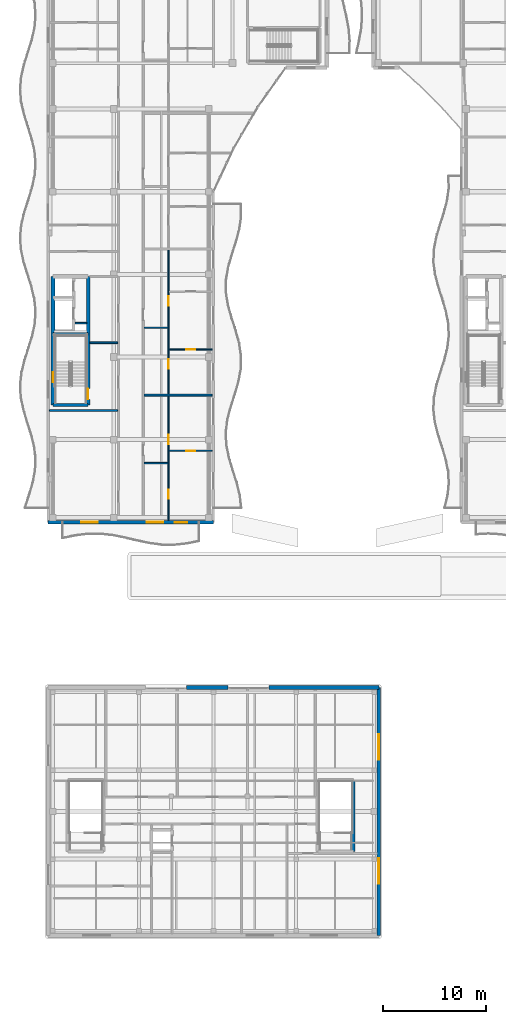
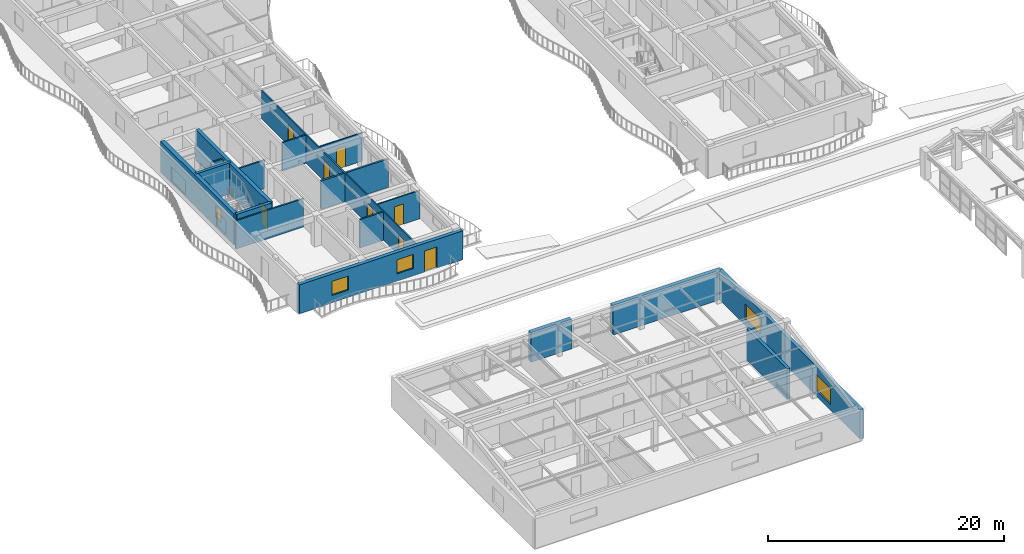
# One storey, part 81 of 128: 19 walls, 8 doors, 5 windows, 13 openings.
"""IFC4 building model written with IfcOpenShell, lengths in metres."""

from ifc_helpers import new_model, si_unit, direction, frame, frame_2d, origin, place, context, subcontext, project, spatial, rectangle, extrude, material, layer, layer_set, type_object, element, fill, save


model = new_model("IFC4")

# Units and contexts
model_context = context("Model", 3, precision=1e-05, world=origin(), true_north=direction((0.0, 1.0)))
body_context = subcontext(model_context, "Body", "Model", "MODEL_VIEW")
ifc_project = project(units=[si_unit("LENGTHUNIT", "METRE"), si_unit("AREAUNIT", "SQUARE_METRE"), si_unit("VOLUMEUNIT", "CUBIC_METRE"), si_unit("PLANEANGLEUNIT", "RADIAN"), si_unit("MASSUNIT", "GRAM", prefix="KILO")], contexts=[model_context])

# Site, building, storey
site_placement = place(None, origin())
site = spatial("IfcSite", under=ifc_project, at=site_placement, CompositionType="ELEMENT")
building_placement = place(site_placement, origin())
building = spatial("IfcBuilding", under=site, at=building_placement, Name="Keldmere Railside Commons", CompositionType="ELEMENT")
storey_placement = place(building_placement, frame((0.0, 0.0, 4.159912109375)))
storey = spatial("IfcBuildingStorey", under=building, at=storey_placement, Name="L01", CompositionType="ELEMENT", Elevation=4.159912109375)

# Wall
ifc_material_1 = material(Name="Acoustic Gypsum Board Partition", Category="gypsum")
ifc_layer_1 = layer(ifc_material_1, 0.179931640625, Name="Acoustic Demising Partition 180")
ifc_layer_set_1 = layer_set([ifc_layer_1], Name="Acoustic Gypsum Board Partition")
wall_type_1 = type_object("IfcWallType", Name="Acoustic Demising Partition 180", PredefinedType="PARTITIONING", material=ifc_layer_set_1)
wall_1_placement = place(storey_placement, frame((17.280029296875, 68.31005859375, 0.0), z_axis=(0.0, 0.0, 1.0), x_axis=(1.0, 0.0, 0.0)))
element("IfcWall", 1, at=wall_1_placement, inside=storey, type_object=wall_type_1, Name="IW-1 IW-L01-0210", PredefinedType="PARTITIONING", context=body_context, shape_type="SweptSolid", body=[
    extrude(rectangle(XDim=6.599853515625, YDim=0.179931640625, at=frame_2d((3.2998046875, 0.0))), origin(), (0.0, 0.0, 1.0), 2.93505859375),
])

# Wall, openings, doors
ifc_layer_2 = layer(ifc_material_1, 0.1201171875, Name="Apartment Interior Partition 120")
ifc_layer_set_2 = layer_set([ifc_layer_2], Name="Acoustic Gypsum Board Partition")
wall_type_2 = type_object("IfcWallType", Name="Apartment Interior Partition 120", PredefinedType="PARTITIONING", material=ifc_layer_set_2)
wall_2_placement = place(storey_placement, frame((19.659912109375, 56.179931640625, 0.0), z_axis=(0.0, 0.0, 1.0), x_axis=(0.0, 1.0, 0.0)))
wall_2 = element("IfcWall", 2, at=wall_2_placement, inside=storey, type_object=wall_type_2, Name="IW-4 IW-L01-0213", PredefinedType="PARTITIONING", context=body_context, shape_type="SweptSolid", body=[
    extrude(rectangle(XDim=12.0400390625, YDim=0.1201171875, at=frame_2d((6.02001953125, 0.0))), origin(), (0.0, 0.0, 1.0), 2.93505859375),
])
opening_1_placement = place(wall_2_placement, frame((2.105224609375, 0.0, 0.0)))
opening_1 = element("IfcOpeningElement", 3, at=opening_1_placement, cuts=wall_2, Name="Opening ID-04", PredefinedType="OPENING", context=body_context, shape_type="SweptSolid", body=[
    extrude(rectangle(XDim=0.860107421875, YDim=2.10009765625, at=frame_2d((0.43017578125, 1.050048828125))), frame((0.0, 0.070068359375, 0.0), z_axis=(0.0, -1.0, 0.0), x_axis=(1.0, 0.0, 0.0)), (0.0, 0.0, 1.0), 0.14013671875),
])
opening_2_placement = place(wall_2_placement, frame((7.360107421875, 0.0, 0.0)))
opening_2 = element("IfcOpeningElement", 4, at=opening_2_placement, cuts=wall_2, Name="Opening ID-03", PredefinedType="OPENING", context=body_context, shape_type="SweptSolid", body=[
    extrude(rectangle(XDim=0.919921875, YDim=2.10009765625, at=frame_2d((0.4599609375, 1.050048828125))), frame((0.0, 0.070068359375, 0.0), z_axis=(0.0, -1.0, 0.0), x_axis=(1.0, 0.0, 0.0)), (0.0, 0.0, 1.0), 0.14013671875),
])
ifc_material_2 = material(Name="Engineered Oak Timber", Category="wood")
door_type_1 = type_object("IfcDoorType", Name="Apartment Bathroom Door 860x2100", OperationType="NOTDEFINED", PredefinedType="DOOR", material=ifc_material_2)
door_1_placement = place(opening_1_placement, origin())
door_1 = element("IfcDoor", 5, at=door_1_placement, inside=storey, type_object=door_type_1, Name="ID-04 IDR-L01-0117", OperationType="SINGLE_SWING_LEFT", OverallHeight=2.10009765625, OverallWidth=0.860107421875, PredefinedType="DOOR", context=body_context, shape_type="SweptSolid", body=[
    extrude(rectangle(XDim=0.860107421875, YDim=2.10009765625, at=frame_2d((0.43017578125, 1.050048828125))), frame((0.0, 0.02490234375, 0.0), z_axis=(0.0, -1.0, 0.0), x_axis=(1.0, 0.0, 0.0)), (0.0, 0.0, 1.0), 0.050048828125),
])
fill(opening_1, door_1)
door_type_2 = type_object("IfcDoorType", Name="Kitchen Pocket-Frame Swing Door 920x2100", OperationType="NOTDEFINED", PredefinedType="DOOR", material=ifc_material_2)
door_2_placement = place(opening_2_placement, origin())
door_2 = element("IfcDoor", 6, at=door_2_placement, inside=storey, type_object=door_type_2, Name="ID-03 IDR-L01-0118", OperationType="SINGLE_SWING_RIGHT", OverallHeight=2.10009765625, OverallWidth=0.919921875, PredefinedType="DOOR", context=body_context, shape_type="SweptSolid", body=[
    extrude(rectangle(XDim=0.919921875, YDim=2.10009765625, at=frame_2d((0.4599609375, 1.050048828125))), frame((0.0, 0.02490234375, 0.0), z_axis=(0.0, -1.0, 0.0), x_axis=(1.0, 0.0, 0.0)), (0.0, 0.0, 1.0), 0.050048828125),
])
fill(opening_2, door_2)

# Wall, opening, door
wall_3_placement = place(storey_placement, frame((19.719970703125, 62.919921875, 0.0), z_axis=(0.0, 0.0, 1.0), x_axis=(1.0, 0.0, 0.0)))
wall_3 = element("IfcWall", 7, at=wall_3_placement, inside=storey, type_object=wall_type_2, Name="IW-4 IW-L01-0215", PredefinedType="PARTITIONING", context=body_context, shape_type="SweptSolid", body=[
    extrude(rectangle(XDim=4.159912109375, YDim=0.1201171875, at=frame_2d((2.080078125, 0.0))), origin(), (0.0, 0.0, 1.0), 2.93505859375),
])
opening_3_placement = place(wall_3_placement, frame((1.6298828125, 0.0, 0.0)))
opening_3 = element("IfcOpeningElement", 8, at=opening_3_placement, cuts=wall_3, Name="Opening ID-01", PredefinedType="OPENING", context=body_context, shape_type="SweptSolid", body=[
    extrude(rectangle(XDim=0.89990234375, YDim=2.10009765625, at=frame_2d((0.449951171875, 1.050048828125))), frame((0.0, 0.070068359375, 0.0), z_axis=(0.0, -1.0, 0.0), x_axis=(1.0, 0.0, 0.0)), (0.0, 0.0, 1.0), 0.14013671875),
])
door_type_3 = type_object("IfcDoorType", Name="Primary Bedroom Door 900x2100", OperationType="NOTDEFINED", PredefinedType="DOOR", material=ifc_material_2)
door_3_placement = place(opening_3_placement, origin())
door_3 = element("IfcDoor", 9, at=door_3_placement, inside=storey, type_object=door_type_3, Name="ID-01 IDR-L01-0120", OperationType="SINGLE_SWING_RIGHT", OverallHeight=2.10009765625, OverallWidth=0.89990234375, PredefinedType="DOOR", context=body_context, shape_type="SweptSolid", body=[
    extrude(rectangle(XDim=0.89990234375, YDim=2.10009765625, at=frame_2d((0.449951171875, 1.050048828125))), frame((0.0, 0.02490234375, 0.0), z_axis=(0.0, -1.0, 0.0), x_axis=(1.0, 0.0, 0.0)), (0.0, 0.0, 1.0), 0.050048828125),
])
fill(opening_3, door_3)

# Wall, openings, doors
wall_4_placement = place(storey_placement, frame((19.659912109375, 68.39990234375, 0.0), z_axis=(0.0, 0.0, 1.0), x_axis=(0.0, 1.0, 0.0)))
wall_4 = element("IfcWall", 10, at=wall_4_placement, inside=storey, type_object=wall_type_2, Name="IW-4 IW-L01-0216", PredefinedType="PARTITIONING", context=body_context, shape_type="SweptSolid", body=[
    extrude(rectangle(XDim=13.97021484375, YDim=0.1201171875, at=frame_2d((6.985107421875, 0.0))), origin(), (0.0, 0.0, 1.0), 2.93505859375),
])
opening_4_placement = place(wall_4_placement, frame((2.443359375, 0.0, 0.0)))
opening_4 = element("IfcOpeningElement", 11, at=opening_4_placement, cuts=wall_4, Name="Opening ID-05", PredefinedType="OPENING", context=body_context, shape_type="SweptSolid", body=[
    extrude(rectangle(XDim=0.93994140625, YDim=2.10009765625, at=frame_2d((0.469970703125, 1.050048828125))), frame((0.0, 0.070068359375, 0.0), z_axis=(0.0, -1.0, 0.0), x_axis=(1.0, 0.0, 0.0)), (0.0, 0.0, 1.0), 0.14013671875),
])
opening_5_placement = place(wall_4_placement, frame((8.541259765625, 0.0, 0.0)))
opening_5 = element("IfcOpeningElement", 12, at=opening_5_placement, cuts=wall_4, Name="Opening ID-03", PredefinedType="OPENING", context=body_context, shape_type="SweptSolid", body=[
    extrude(rectangle(XDim=0.919921875, YDim=2.10009765625, at=frame_2d((0.4599609375, 1.050048828125))), frame((0.0, 0.070068359375, 0.0), z_axis=(0.0, -1.0, 0.0), x_axis=(1.0, 0.0, 0.0)), (0.0, 0.0, 1.0), 0.14013671875),
])
door_type_4 = type_object("IfcDoorType", Name="Accessible Bathroom Door 940x2100", OperationType="NOTDEFINED", PredefinedType="DOOR", material=ifc_material_2)
door_4_placement = place(opening_4_placement, origin())
door_4 = element("IfcDoor", 13, at=door_4_placement, inside=storey, type_object=door_type_4, Name="ID-05 IDR-L01-0121", OperationType="SINGLE_SWING_LEFT", OverallHeight=2.10009765625, OverallWidth=0.93994140625, PredefinedType="DOOR", context=body_context, shape_type="SweptSolid", body=[
    extrude(rectangle(XDim=0.93994140625, YDim=2.10009765625, at=frame_2d((0.469970703125, 1.050048828125))), frame((0.0, 0.02490234375, 0.0), z_axis=(0.0, -1.0, 0.0), x_axis=(1.0, 0.0, 0.0)), (0.0, 0.0, 1.0), 0.050048828125),
])
fill(opening_4, door_4)
door_5_placement = place(opening_5_placement, origin())
door_5 = element("IfcDoor", 14, at=door_5_placement, inside=storey, type_object=door_type_2, Name="ID-03 IDR-L01-0122", OperationType="SINGLE_SWING_RIGHT", OverallHeight=2.10009765625, OverallWidth=0.919921875, PredefinedType="DOOR", context=body_context, shape_type="SweptSolid", body=[
    extrude(rectangle(XDim=0.919921875, YDim=2.10009765625, at=frame_2d((0.4599609375, 1.050048828125))), frame((0.0, 0.02490234375, 0.0), z_axis=(0.0, -1.0, 0.0), x_axis=(1.0, 0.0, 0.0)), (0.0, 0.0, 1.0), 0.050048828125),
])
fill(opening_5, door_5)

# Wall, opening, door
wall_5_placement = place(storey_placement, frame((19.719970703125, 72.72998046875, 0.0), z_axis=(0.0, 0.0, 1.0), x_axis=(1.0, 0.0, 0.0)))
wall_5 = element("IfcWall", 15, at=wall_5_placement, inside=storey, type_object=wall_type_2, Name="IW-4 IW-L01-0218", PredefinedType="PARTITIONING", context=body_context, shape_type="SweptSolid", body=[
    extrude(rectangle(XDim=4.159912109375, YDim=0.1201171875, at=frame_2d((2.080078125, 0.0))), origin(), (0.0, 0.0, 1.0), 2.93505859375),
])
opening_6_placement = place(wall_5_placement, frame((1.6298828125, 0.0, 0.0)))
opening_6 = element("IfcOpeningElement", 16, at=opening_6_placement, cuts=wall_5, Name="Opening ID-01", PredefinedType="OPENING", context=body_context, shape_type="SweptSolid", body=[
    extrude(rectangle(XDim=0.89990234375, YDim=2.10009765625, at=frame_2d((0.449951171875, 1.050048828125))), frame((0.0, 0.070068359375, 0.0), z_axis=(0.0, -1.0, 0.0), x_axis=(1.0, 0.0, 0.0)), (0.0, 0.0, 1.0), 0.14013671875),
])
door_6_placement = place(opening_6_placement, origin())
door_6 = element("IfcDoor", 17, at=door_6_placement, inside=storey, type_object=door_type_3, Name="ID-01 IDR-L01-0124", OperationType="SINGLE_SWING_RIGHT", OverallHeight=2.10009765625, OverallWidth=0.89990234375, PredefinedType="DOOR", context=body_context, shape_type="SweptSolid", body=[
    extrude(rectangle(XDim=0.89990234375, YDim=2.10009765625, at=frame_2d((0.449951171875, 1.050048828125))), frame((0.0, 0.02490234375, 0.0), z_axis=(0.0, -1.0, 0.0), x_axis=(1.0, 0.0, 0.0)), (0.0, 0.0, 1.0), 0.050048828125),
])
fill(opening_6, door_6)

# Walls
ifc_material_3 = material(Name="Terracotta Brick Masonry", Category="masonry")
ifc_layer_3 = layer(ifc_material_3, 0.39990234375, Name="Civic Brick Cavity Wall 400")
ifc_layer_set_3 = layer_set([ifc_layer_3], Name="Terracotta Brick Masonry")
wall_type_3 = type_object("IfcWallType", Name="Civic Brick Cavity Wall 400", PredefinedType="SOLIDWALL", material=ifc_layer_set_3)
wall_6_placement = place(storey_placement, frame((21.39990234375, 40.0, 0.0), z_axis=(0.0, 0.0, 1.0), x_axis=(1.0, 0.0, 0.0)))
element("IfcWall", 18, at=wall_6_placement, inside=storey, type_object=wall_type_3, Name="EW-3 NURNM-L01-0990", PredefinedType="SOLIDWALL", context=body_context, shape_type="SweptSolid", body=[
    extrude(rectangle(XDim=4.0, YDim=0.39990234375, at=frame_2d((2.0, 0.0))), origin(), (0.0, 0.0, 1.0), 3.06005859375),
])
wall_7_placement = place(storey_placement, frame((29.39990234375, 40.0, 0.0), z_axis=(0.0, 0.0, 1.0), x_axis=(1.0, 0.0, 0.0)))
element("IfcWall", 19, at=wall_7_placement, inside=storey, type_object=wall_type_3, Name="EW-3 NURNE-L01-0991", PredefinedType="SOLIDWALL", context=body_context, shape_type="SweptSolid", body=[
    extrude(rectangle(XDim=10.60009765625, YDim=0.39990234375, at=frame_2d((5.300048828125, 0.0))), origin(), (0.0, 0.0, 1.0), 3.06005859375),
])
ifc_material_4 = material(Name="Concrete H-35 (C35/45)", Category="concrete")
ifc_layer_4 = layer(ifc_material_4, 0.280029296875, Name="Core Shear Wall 280")
ifc_layer_set_4 = layer_set([ifc_layer_4], Name="Concrete H-35 (C35/45)")
wall_type_4 = type_object("IfcWallType", Name="Core Shear Wall 280", PredefinedType="SHEAR", material=ifc_layer_set_4)
wall_8_placement = place(storey_placement, frame((8.4599609375, 74.239990234375, 0.0), z_axis=(0.0, 0.0, 1.0), x_axis=(1.0, 0.0, 0.0)))
element("IfcWall", 20, at=wall_8_placement, inside=storey, type_object=wall_type_4, Name="CSW-2 COREDM-L01-0043", PredefinedType="SHEAR", context=body_context, shape_type="SweptSolid", body=[
    extrude(rectangle(XDim=3.41015625, YDim=0.280029296875, at=frame_2d((1.705078125, 0.0))), origin(), (0.0, 0.0, 1.0), 3.2001953125),
])

# Wall, opening, window
ifc_material_5 = material(Name="Concrete H-40 (C40/50)", Category="concrete")
ifc_layer_5 = layer(ifc_material_5, 0.3798828125, Name="Core Shear Wall 380")
ifc_layer_set_5 = layer_set([ifc_layer_5], Name="Concrete H-40 (C40/50)")
wall_type_5 = type_object("IfcWallType", Name="Core Shear Wall 380", PredefinedType="SHEAR", material=ifc_layer_set_5)
wall_9_placement = place(storey_placement, frame((8.4599609375, 67.35009765625, 0.0), z_axis=(0.0, 0.0, 1.0), x_axis=(0.0, 1.0, 0.0)))
wall_9 = element("IfcWall", 21, at=wall_9_placement, inside=storey, type_object=wall_type_5, Name="CW-CORE COREDW-L01-0039", PredefinedType="SHEAR", context=body_context, shape_type="SweptSolid", body=[
    extrude(rectangle(XDim=12.449951171875, YDim=0.3798828125, at=frame_2d((6.22509765625, 0.0))), origin(), (0.0, 0.0, 1.0), 3.2001953125),
])
opening_7_placement = place(wall_9_placement, frame((2.199951171875, 0.0, 0.969970703125)))
opening_7 = element("IfcOpeningElement", 22, at=opening_7_placement, cuts=wall_9, Name="Opening WN-17", PredefinedType="OPENING", context=body_context, shape_type="SweptSolid", body=[
    extrude(rectangle(XDim=0.949951171875, YDim=1.25, at=frame_2d((0.47509765625, 0.625))), frame((0.0, 0.199951171875, 0.0), z_axis=(0.0, -1.0, 0.0), x_axis=(1.0, 0.0, 0.0)), (0.0, 0.0, 1.0), 0.39990234375),
])
ifc_material_6 = material(Name="Low-E Insulated Double Glazing", Category="glass")
window_type_1 = type_object("IfcWindowType", Name="Stair Core Natural Smoke-Vent Window 950x1250", PartitioningType="SINGLE_PANEL", PredefinedType="WINDOW", material=ifc_material_6)
window_1_placement = place(opening_7_placement, origin())
window_1 = element("IfcWindow", 23, at=window_1_placement, inside=storey, type_object=window_type_1, Name="WN-17 WIN-L01-0008", OverallHeight=1.25, OverallWidth=0.949951171875, PartitioningType="SINGLE_PANEL", PredefinedType="WINDOW", context=body_context, shape_type="SweptSolid", body=[
    extrude(rectangle(XDim=0.949951171875, YDim=1.25, at=frame_2d((0.47509765625, 0.625))), frame((0.0, 0.030029296875, 0.0), z_axis=(0.0, -1.0, 0.0), x_axis=(1.0, 0.0, 0.0)), (0.0, 0.0, 1.0), 0.06005859375),
])
fill(opening_7, window_1)

# Wall, openings, windows
ifc_layer_6 = layer(ifc_material_4, 0.320068359375, Name="Exterior Shear Wall 320")
ifc_layer_set_6 = layer_set([ifc_layer_6], Name="Concrete H-35 (C35/45)")
wall_type_6 = type_object("IfcWallType", Name="Exterior Shear Wall 320", PredefinedType="SHEAR", material=ifc_layer_set_6)
wall_10_placement = place(storey_placement, frame((40.0, 40.0, 0.0), z_axis=(0.0, 0.0, 1.0), x_axis=(0.0, -1.0, 0.0)))
wall_10 = element("IfcWall", 24, at=wall_10_placement, inside=storey, type_object=wall_type_6, Name="ESW-2 NURE-L01-0992", PredefinedType="SHEAR", context=body_context, shape_type="SweptSolid", body=[
    extrude(rectangle(XDim=24.0, YDim=0.320068359375, at=frame_2d((12.0, 0.0))), origin(), (0.0, 0.0, 1.0), 3.06005859375),
])
opening_8_placement = place(wall_10_placement, frame((4.5, 0.0, 0.570068359375)))
opening_8 = element("IfcOpeningElement", 25, at=opening_8_placement, cuts=wall_10, Name="Opening WN-27", PredefinedType="OPENING", context=body_context, shape_type="SweptSolid", body=[
    extrude(rectangle(XDim=2.5, YDim=1.64990234375, at=frame_2d((1.25, 0.824951171875))), frame((0.0, 0.169921875, 0.0), z_axis=(0.0, -1.0, 0.0), x_axis=(1.0, 0.0, 0.0)), (0.0, 0.0, 1.0), 0.340087890625),
])
opening_9_placement = place(wall_10_placement, frame((16.5, 0.0, 0.570068359375)))
opening_9 = element("IfcOpeningElement", 26, at=opening_9_placement, cuts=wall_10, Name="Opening WN-27", PredefinedType="OPENING", context=body_context, shape_type="SweptSolid", body=[
    extrude(rectangle(XDim=2.5, YDim=1.64990234375, at=frame_2d((1.25, 0.824951171875))), frame((0.0, 0.169921875, 0.0), z_axis=(0.0, -1.0, 0.0), x_axis=(1.0, 0.0, 0.0)), (0.0, 0.0, 1.0), 0.340087890625),
])
window_type_2 = type_object("IfcWindowType", Name="Nursery Toddler Playroom Ribbon Window 2500x1650", PartitioningType="SINGLE_PANEL", PredefinedType="WINDOW", material=ifc_material_6)
window_2_placement = place(opening_8_placement, origin())
window_2 = element("IfcWindow", 27, at=window_2_placement, inside=storey, type_object=window_type_2, Name="WN-27 WIN-L01-0826", OverallHeight=1.64990234375, OverallWidth=2.5, PartitioningType="SINGLE_PANEL", PredefinedType="WINDOW", context=body_context, shape_type="SweptSolid", body=[
    extrude(rectangle(XDim=2.5, YDim=1.64990234375, at=frame_2d((1.25, 0.824951171875))), frame((0.0, 0.030029296875, 0.0), z_axis=(0.0, -1.0, 0.0), x_axis=(1.0, 0.0, 0.0)), (0.0, 0.0, 1.0), 0.06005859375),
])
fill(opening_8, window_2)
window_3_placement = place(opening_9_placement, origin())
window_3 = element("IfcWindow", 28, at=window_3_placement, inside=storey, type_object=window_type_2, Name="WN-27 WIN-L01-0828", OverallHeight=1.64990234375, OverallWidth=2.5, PartitioningType="SINGLE_PANEL", PredefinedType="WINDOW", context=body_context, shape_type="SweptSolid", body=[
    extrude(rectangle(XDim=2.5, YDim=1.64990234375, at=frame_2d((1.25, 0.824951171875))), frame((0.0, 0.030029296875, 0.0), z_axis=(0.0, -1.0, 0.0), x_axis=(1.0, 0.0, 0.0)), (0.0, 0.0, 1.0), 0.06005859375),
])
fill(opening_9, window_3)

# Wall, openings, door, windows
ifc_layer_7 = layer(ifc_material_4, 0.360107421875, Name="Exterior Shear Wall 360")
ifc_layer_set_7 = layer_set([ifc_layer_7], Name="Concrete H-35 (C35/45)")
wall_type_7 = type_object("IfcWallType", Name="Exterior Shear Wall 360", PredefinedType="SHEAR", material=ifc_layer_set_7)
wall_11_placement = place(storey_placement, frame((24.0, 56.0, 0.0), z_axis=(0.0, 0.0, 1.0), x_axis=(-1.0, 0.0, 0.0)))
wall_11 = element("IfcWall", 29, at=wall_11_placement, inside=storey, type_object=wall_type_7, Name="ESW-1 EXTD-L01-0129", PredefinedType="SHEAR", context=body_context, shape_type="SweptSolid", body=[
    extrude(rectangle(XDim=16.0, YDim=0.360107421875, at=frame_2d((8.0, 0.0))), origin(), (0.0, 0.0, 1.0), 2.97998046875),
])
opening_10_placement = place(wall_11_placement, frame((2.550048828125, 0.0, 0.0)))
opening_10 = element("IfcOpeningElement", 30, at=opening_10_placement, cuts=wall_11, Name="Opening BD-01", PredefinedType="OPENING", context=body_context, shape_type="SweptSolid", body=[
    extrude(rectangle(XDim=1.199951171875, YDim=2.199951171875, at=frame_2d((0.60009765625, 1.10009765625))), frame((0.0, 0.18994140625, 0.0), z_axis=(0.0, -1.0, 0.0), x_axis=(1.0, 0.0, 0.0)), (0.0, 0.0, 1.0), 0.380126953125),
])
opening_11_placement = place(wall_11_placement, frame((4.85009765625, 0.0, 0.77001953125)))
opening_11 = element("IfcOpeningElement", 31, at=opening_11_placement, cuts=wall_11, Name="Opening WN-04", PredefinedType="OPENING", context=body_context, shape_type="SweptSolid", body=[
    extrude(rectangle(XDim=1.60009765625, YDim=1.449951171875, at=frame_2d((0.800048828125, 0.72509765625))), frame((0.0, 0.18994140625, 0.0), z_axis=(0.0, -1.0, 0.0), x_axis=(1.0, 0.0, 0.0)), (0.0, 0.0, 1.0), 0.380126953125),
])
opening_12_placement = place(wall_11_placement, frame((11.199951171875, 0.0, 0.77001953125)))
opening_12 = element("IfcOpeningElement", 32, at=opening_12_placement, cuts=wall_11, Name="Opening WN-04", PredefinedType="OPENING", context=body_context, shape_type="SweptSolid", body=[
    extrude(rectangle(XDim=1.60009765625, YDim=1.449951171875, at=frame_2d((0.800048828125, 0.72509765625))), frame((0.0, 0.18994140625, 0.0), z_axis=(0.0, -1.0, 0.0), x_axis=(1.0, 0.0, 0.0)), (0.0, 0.0, 1.0), 0.380126953125),
])
ifc_material_7 = material(Name="Thermally Broken Aluminium", Category="aluminium")
door_type_5 = type_object("IfcDoorType", Name="Apartment Living Wave-Balcony Glazed Door 1200x2200", OperationType="NOTDEFINED", PredefinedType="DOOR", material=ifc_material_7)
door_7_placement = place(opening_10_placement, origin())
door_7 = element("IfcDoor", 33, at=door_7_placement, inside=storey, type_object=door_type_5, Name="BD-01 DR-L01-0007", OperationType="SINGLE_SWING_LEFT", OverallHeight=2.199951171875, OverallWidth=1.199951171875, PredefinedType="DOOR", context=body_context, shape_type="SweptSolid", body=[
    extrude(rectangle(XDim=1.199951171875, YDim=2.199951171875, at=frame_2d((0.60009765625, 1.10009765625))), frame((0.0, 0.02490234375, 0.0), z_axis=(0.0, -1.0, 0.0), x_axis=(1.0, 0.0, 0.0)), (0.0, 0.0, 1.0), 0.050048828125),
])
fill(opening_10, door_7)
window_type_3 = type_object("IfcWindowType", Name="Living Room West Shaded Window 1600x1450", PartitioningType="SINGLE_PANEL", PredefinedType="WINDOW", material=ifc_material_6)
window_4_placement = place(opening_11_placement, origin())
window_4 = element("IfcWindow", 34, at=window_4_placement, inside=storey, type_object=window_type_3, Name="WN-04 WIN-L01-0028", OverallHeight=1.449951171875, OverallWidth=1.60009765625, PartitioningType="SINGLE_PANEL", PredefinedType="WINDOW", context=body_context, shape_type="SweptSolid", body=[
    extrude(rectangle(XDim=1.60009765625, YDim=1.449951171875, at=frame_2d((0.800048828125, 0.72509765625))), frame((0.0, 0.030029296875, 0.0), z_axis=(0.0, -1.0, 0.0), x_axis=(1.0, 0.0, 0.0)), (0.0, 0.0, 1.0), 0.06005859375),
])
fill(opening_11, window_4)
window_5_placement = place(opening_12_placement, origin())
window_5 = element("IfcWindow", 35, at=window_5_placement, inside=storey, type_object=window_type_3, Name="WN-04 WIN-L01-0029", OverallHeight=1.449951171875, OverallWidth=1.60009765625, PartitioningType="SINGLE_PANEL", PredefinedType="WINDOW", context=body_context, shape_type="SweptSolid", body=[
    extrude(rectangle(XDim=1.60009765625, YDim=1.449951171875, at=frame_2d((0.800048828125, 0.72509765625))), frame((0.0, 0.030029296875, 0.0), z_axis=(0.0, -1.0, 0.0), x_axis=(1.0, 0.0, 0.0)), (0.0, 0.0, 1.0), 0.06005859375),
])
fill(opening_12, window_5)

# Walls
ifc_layer_8 = layer(ifc_material_4, 0.300048828125, Name="Interior Shear Wall 300")
ifc_layer_set_8 = layer_set([ifc_layer_8], Name="Concrete H-35 (C35/45)")
wall_type_8 = type_object("IfcWallType", Name="Interior Shear Wall 300", PredefinedType="SHEAR", material=ifc_layer_set_8)
wall_12_placement = place(storey_placement, frame((11.8701171875, 67.35009765625, 0.0), z_axis=(0.0, 0.0, 1.0), x_axis=(-1.0, 0.0, 0.0)))
element("IfcWall", 36, at=wall_12_placement, inside=storey, type_object=wall_type_8, Name="ISW-2 COREDS-L01-0042", PredefinedType="SHEAR", context=body_context, shape_type="SweptSolid", body=[
    extrude(rectangle(XDim=3.41015625, YDim=0.300048828125, at=frame_2d((1.705078125, 0.0))), origin(), (0.0, 0.0, 1.0), 3.2001953125),
])
wall_13_placement = place(storey_placement, frame((37.550048828125, 31.050048828125, 0.0), z_axis=(0.0, 0.0, 1.0), x_axis=(0.0, -1.0, 0.0)))
element("IfcWall", 37, at=wall_13_placement, inside=storey, type_object=wall_type_8, Name="ISW-2 WAL-ST-N2-L01-E", PredefinedType="SHEAR", context=body_context, shape_type="SweptSolid", body=[
    extrude(rectangle(XDim=6.900146484375, YDim=0.300048828125, at=frame_2d((3.4501953125, 0.0))), origin(), (0.0, 0.0, 1.0), 3.2001953125),
])

# Wall, opening, door
ifc_layer_9 = layer(ifc_material_4, 0.340087890625, Name="Interior Shear Wall 340")
ifc_layer_set_9 = layer_set([ifc_layer_9], Name="Concrete H-35 (C35/45)")
wall_type_9 = type_object("IfcWallType", Name="Interior Shear Wall 340", PredefinedType="SHEAR", material=ifc_layer_set_9)
wall_14_placement = place(storey_placement, frame((11.8701171875, 79.800048828125, 0.0), z_axis=(0.0, 0.0, 1.0), x_axis=(0.0, -1.0, 0.0)))
wall_14 = element("IfcWall", 38, at=wall_14_placement, inside=storey, type_object=wall_type_9, Name="ISW-1 COREDE-L01-0041", PredefinedType="SHEAR", context=body_context, shape_type="SweptSolid", body=[
    extrude(rectangle(XDim=12.449951171875, YDim=0.340087890625, at=frame_2d((6.22509765625, 0.0))), origin(), (0.0, 0.0, 1.0), 3.2001953125),
])
opening_13_placement = place(wall_14_placement, frame((10.85009765625, 0.0, 0.0)))
opening_13 = element("IfcOpeningElement", 39, at=opening_13_placement, cuts=wall_14, Name="Opening FD-1", PredefinedType="OPENING", context=body_context, shape_type="SweptSolid", body=[
    extrude(rectangle(XDim=1.050048828125, YDim=2.14990234375, at=frame_2d((0.52490234375, 1.074951171875))), frame((0.0, 0.179931640625, 0.0), z_axis=(0.0, -1.0, 0.0), x_axis=(1.0, 0.0, 0.0)), (0.0, 0.0, 1.0), 0.360107421875),
])
ifc_material_8 = material(Name="Steel F-24 (S235)", Category="steel")
door_type_6 = type_object("IfcDoorType", Name="Stair Core Fire Door 1050x2150", OperationType="NOTDEFINED", PredefinedType="DOOR", material=ifc_material_8)
door_8_placement = place(opening_13_placement, origin())
door_8 = element("IfcDoor", 40, at=door_8_placement, inside=storey, type_object=door_type_6, Name="FD-1 D1 L01", OperationType="SINGLE_SWING_LEFT", OverallHeight=2.14990234375, OverallWidth=1.050048828125, PredefinedType="DOOR", context=body_context, shape_type="SweptSolid", body=[
    extrude(rectangle(XDim=1.050048828125, YDim=2.14990234375, at=frame_2d((0.52490234375, 1.074951171875))), frame((0.0, 0.02490234375, 0.0), z_axis=(0.0, -1.0, 0.0), x_axis=(1.0, 0.0, 0.0)), (0.0, 0.0, 1.0), 0.050048828125),
])
fill(opening_13, door_8)

# Walls
ifc_layer_10 = layer(ifc_material_1, 0.14990234375, Name="Lobby Rated Partition 150")
ifc_layer_set_10 = layer_set([ifc_layer_10], Name="Acoustic Gypsum Board Partition")
wall_type_10 = type_object("IfcWallType", Name="Lobby Rated Partition 150", PredefinedType="PARTITIONING", material=ifc_layer_set_10)
wall_15_placement = place(storey_placement, frame((10.60009765625, 75.280029296875, 0.0), z_axis=(0.0, 0.0, 1.0), x_axis=(1.0, 0.0, 0.0)))
element("IfcWall", 41, at=wall_15_placement, inside=storey, type_object=wall_type_10, Name="IW-3 RSRND-L01-0046", PredefinedType="PARTITIONING", context=body_context, shape_type="SweptSolid", body=[
    extrude(rectangle(XDim=1.1298828125, YDim=0.14990234375, at=frame_2d((0.56494140625, 0.0))), origin(), (0.0, 0.0, 1.0), 2.9501953125),
])
wall_16_placement = place(storey_placement, frame((8.1201171875, 66.820068359375, 0.0), z_axis=(0.0, 0.0, 1.0), x_axis=(1.0, 0.0, 0.0)))
element("IfcWall", 42, at=wall_16_placement, inside=storey, type_object=wall_type_10, Name="IW-3 IW-L01-0199", PredefinedType="PARTITIONING", context=body_context, shape_type="SweptSolid", body=[
    extrude(rectangle(XDim=6.599853515625, YDim=0.14990234375, at=frame_2d((3.2998046875, 0.0))), origin(), (0.0, 0.0, 1.0), 2.93505859375),
])
wall_17_placement = place(storey_placement, frame((12.0400390625, 73.3798828125, 0.0), z_axis=(0.0, 0.0, 1.0), x_axis=(1.0, 0.0, 0.0)))
element("IfcWall", 43, at=wall_17_placement, inside=storey, type_object=wall_type_10, Name="IW-3 IW-L01-0200", PredefinedType="PARTITIONING", context=body_context, shape_type="SweptSolid", body=[
    extrude(rectangle(XDim=2.679931640625, YDim=0.14990234375, at=frame_2d((1.33984375, 0.0))), origin(), (0.0, 0.0, 1.0), 2.93505859375),
])
ifc_layer_11 = layer(ifc_material_1, 0.139892578125, Name="Wet-Room Sanitary Partition 140")
ifc_layer_set_11 = layer_set([ifc_layer_11], Name="Acoustic Gypsum Board Partition")
wall_type_11 = type_object("IfcWallType", Name="Wet-Room Sanitary Partition 140", PredefinedType="PARTITIONING", material=ifc_layer_set_11)
for number, where, z_axis, x_axis, name in (
    (44, (17.280029296875, 61.719970703125, 0.0), (0.0, 0.0, 1.0), (1.0, 0.0, 0.0), "IW-5 IW-L01-0214"),
    (45, (17.280029296875, 74.830078125, 0.0), (0.0, 0.0, 1.0), (1.0, 0.0, 0.0), "IW-5 IW-L01-0217"),
):
    element("IfcWall", number, at=place(storey_placement, frame(where, z_axis=z_axis, x_axis=x_axis)), inside=storey, type_object=wall_type_11, Name=name, PredefinedType="PARTITIONING", context=body_context, shape_type="SweptSolid", body=[
        extrude(rectangle(XDim=2.320068359375, YDim=0.139892578125, at=frame_2d((1.16015625, 0.0))), origin(), (0.0, 0.0, 1.0), 2.93505859375),
    ])

save(model, "model.ifc")
